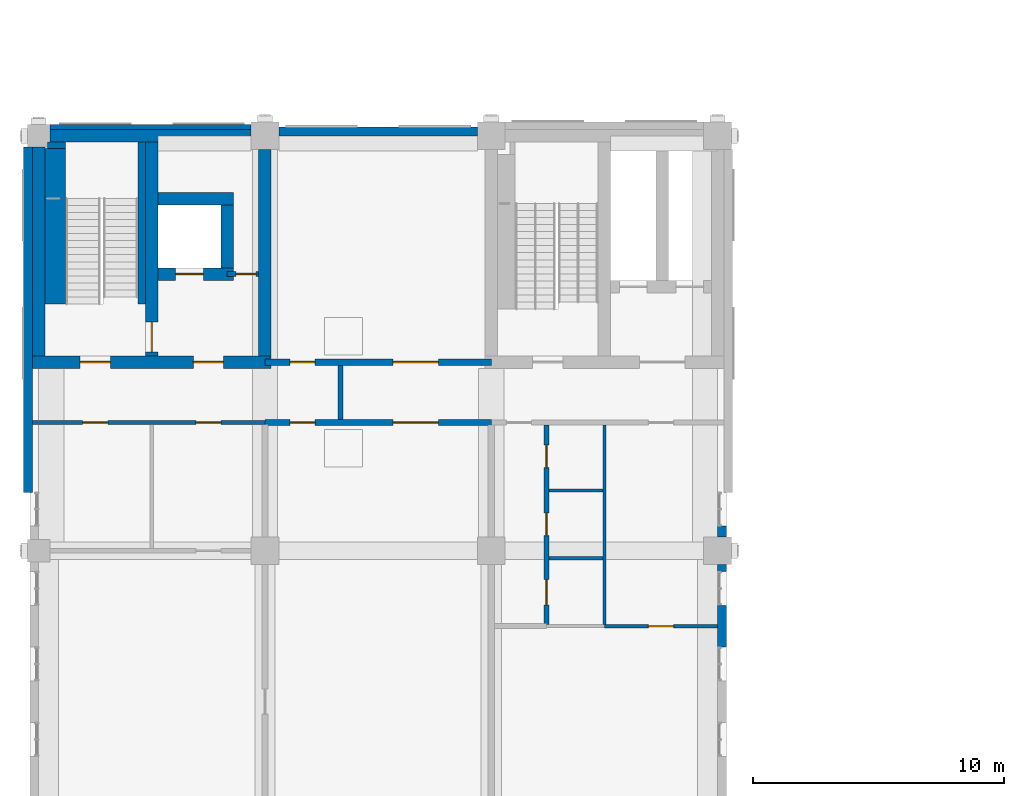
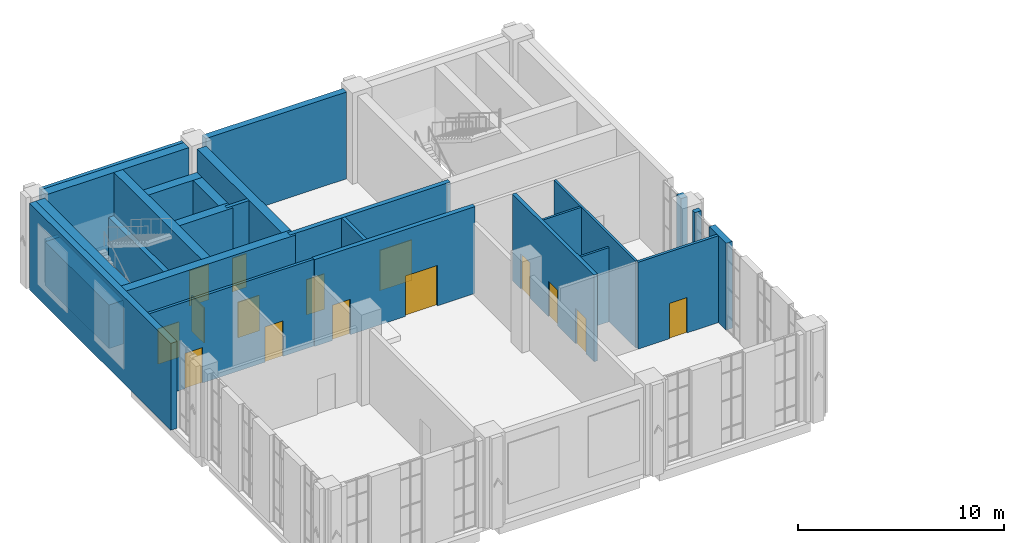
# One storey, part 13 of 22: 27 walls, 15 doors, 15 openings.
"""IFC4 building model written with IfcOpenShell, lengths in metres."""

from ifc_helpers import new_model, si_unit, direction, frame, frame_2d, origin, place, context, subcontext, project, spatial, rectangle, extrude, material, layer, layer_set, type_object, element, fill, save


model = new_model("IFC4")

# Units and contexts
model_context = context("Model", 3, precision=1e-05, world=origin(), true_north=direction((0.0, 1.0)))
body_context = subcontext(model_context, "Body", "Model", "MODEL_VIEW")
ifc_project = project(units=[si_unit("LENGTHUNIT", "METRE"), si_unit("AREAUNIT", "SQUARE_METRE"), si_unit("VOLUMEUNIT", "CUBIC_METRE"), si_unit("PLANEANGLEUNIT", "RADIAN"), si_unit("MASSUNIT", "GRAM", prefix="KILO")], contexts=[model_context])

# Site, building, storey
site_placement = place(None, origin())
site = spatial("IfcSite", under=ifc_project, at=site_placement, CompositionType="ELEMENT")
building_placement = place(site_placement, origin())
building = spatial("IfcBuilding", under=site, at=building_placement, Name="Aurelan Courthouse", CompositionType="ELEMENT")
storey_placement = place(building_placement, frame((0.0, 0.0, 39.0)))
storey = spatial("IfcBuildingStorey", under=building, at=storey_placement, Name="L07", CompositionType="ELEMENT", Elevation=39.0)

# Wall, openings, doors
ifc_material_1 = material(Name="Gypsum board on metal studs")
ifc_layer_1 = layer(ifc_material_1, 0.14990234375)
ifc_layer_set_1 = layer_set([ifc_layer_1], Name="Gypsum board on metal studs")
wall_type_1 = type_object("IfcWallType", Name="Corridor partition 150 EI 60", PredefinedType="PARTITIONING", material=ifc_layer_set_1)
wall_1_placement = place(storey_placement, frame((-0.25, 17.10009765625, 0.0), z_axis=(0.0, 0.0, 1.0), x_axis=(1.0, 0.0, 0.0)))
wall_1 = element("IfcWall", 1, at=wall_1_placement, inside=storey, type_object=wall_type_1, Name="Corridor partition L07-007", PredefinedType="PARTITIONING", context=body_context, shape_type="SweptSolid", body=[
    extrude(rectangle(XDim=9.25, YDim=0.14990234375, at=frame_2d((4.625, 0.0))), origin(), (0.0, 0.0, 1.0), 5.14990234375),
])
opening_1_placement = place(wall_1_placement, frame((3.0, 0.0, 0.0), z_axis=(0.0, 0.0, 1.0), x_axis=(-1.0, 0.0, 0.0)))
opening_1 = element("IfcOpeningElement", 2, at=opening_1_placement, cuts=wall_1, Name="Opening D-L07-045", PredefinedType="OPENING", context=body_context, shape_type="SweptSolid", body=[
    extrude(rectangle(XDim=1.0, YDim=2.10009765625, at=frame_2d((0.5, 1.050048828125))), frame((0.0, 0.0849609375, 0.0), z_axis=(0.0, -1.0, 0.0), x_axis=(1.0, 0.0, 0.0)), (0.0, 0.0, 1.0), 0.169921875),
])
opening_2_placement = place(wall_1_placement, frame((7.5, 0.0, 0.0), z_axis=(0.0, 0.0, 1.0), x_axis=(-1.0, 0.0, 0.0)))
opening_2 = element("IfcOpeningElement", 3, at=opening_2_placement, cuts=wall_1, Name="Opening D-L07-046", PredefinedType="OPENING", context=body_context, shape_type="SweptSolid", body=[
    extrude(rectangle(XDim=1.0, YDim=2.10009765625, at=frame_2d((0.5, 1.050048828125))), frame((0.0, 0.0849609375, 0.0), z_axis=(0.0, -1.0, 0.0), x_axis=(1.0, 0.0, 0.0)), (0.0, 0.0, 1.0), 0.169921875),
])
ifc_material_2 = material(Name="Steel", Category="steel")
door_type_1 = type_object("IfcDoorType", Name="Single door 1000 x 2100 FD60", OperationType="SINGLE_SWING_LEFT", PredefinedType="DOOR", material=ifc_material_2)
door_1_placement = place(opening_1_placement, origin())
door_1 = element("IfcDoor", 4, at=door_1_placement, inside=storey, type_object=door_type_1, Name="Single door D-L07-045", OperationType="SINGLE_SWING_LEFT", OverallHeight=2.10009765625, OverallWidth=1.0, PredefinedType="DOOR", context=body_context, shape_type="SweptSolid", body=[
    extrude(rectangle(XDim=1.0, YDim=2.10009765625, at=frame_2d((0.5, 1.050048828125))), frame((0.0, 0.02490234375, 0.0), z_axis=(0.0, -1.0, 0.0), x_axis=(1.0, 0.0, 0.0)), (0.0, 0.0, 1.0), 0.050048828125),
])
fill(opening_1, door_1)
door_2_placement = place(opening_2_placement, origin())
door_2 = element("IfcDoor", 5, at=door_2_placement, inside=storey, type_object=door_type_1, Name="Single door D-L07-046", OperationType="SINGLE_SWING_RIGHT", OverallHeight=2.10009765625, OverallWidth=1.0, PredefinedType="DOOR", context=body_context, shape_type="SweptSolid", body=[
    extrude(rectangle(XDim=1.0, YDim=2.10009765625, at=frame_2d((0.5, 1.050048828125))), frame((0.0, 0.02490234375, 0.0), z_axis=(0.0, -1.0, 0.0), x_axis=(1.0, 0.0, 0.0)), (0.0, 0.0, 1.0), 0.050048828125),
])
fill(opening_2, door_2)

ifc_material_3 = material(Name="Masonry block", Category="masonry")
ifc_layer_2 = layer(ifc_material_3, 0.25)
ifc_layer_set_2 = layer_set([ifc_layer_2], Name="Masonry block")
wall_type_2 = type_object("IfcWallType", Name="Courtroom wall 250 EI 60", PredefinedType="PARTITIONING", material=ifc_layer_set_2)
wall_2_placement = place(storey_placement, frame((9.0, 17.10009765625, 0.0), z_axis=(0.0, 0.0, 1.0), x_axis=(1.0, 0.0, 0.0)))
wall_2 = element("IfcWall", 6, at=wall_2_placement, inside=storey, type_object=wall_type_2, Name="Courtroom wall L07-008", PredefinedType="PARTITIONING", context=body_context, shape_type="SweptSolid", body=[
    extrude(rectangle(XDim=9.0, YDim=0.25, at=frame_2d((4.5, 0.0))), origin(), (0.0, 0.0, 1.0), 5.14990234375),
])
opening_3_placement = place(wall_2_placement, frame((6.900146484375, 0.0, 0.0), z_axis=(0.0, 0.0, 1.0), x_axis=(-1.0, 0.0, 0.0)))
opening_3 = element("IfcOpeningElement", 7, at=opening_3_placement, cuts=wall_2, Name="Opening D-L07-041", PredefinedType="OPENING", context=body_context, shape_type="SweptSolid", body=[
    extrude(rectangle(XDim=1.800048828125, YDim=2.39990234375, at=frame_2d((0.89990234375, 1.199951171875))), frame((0.0, 0.135009765625, 0.0), z_axis=(0.0, -1.0, 0.0), x_axis=(1.0, 0.0, 0.0)), (0.0, 0.0, 1.0), 0.27001953125),
])
opening_4_placement = place(wall_2_placement, frame((2.0, 0.0, 0.0), z_axis=(0.0, 0.0, 1.0), x_axis=(-1.0, 0.0, 0.0)))
opening_4 = element("IfcOpeningElement", 8, at=opening_4_placement, cuts=wall_2, Name="Opening D-L07-042", PredefinedType="OPENING", context=body_context, shape_type="SweptSolid", body=[
    extrude(rectangle(XDim=1.0, YDim=2.10009765625, at=frame_2d((0.5, 1.050048828125))), frame((0.0, 0.135009765625, 0.0), z_axis=(0.0, -1.0, 0.0), x_axis=(1.0, 0.0, 0.0)), (0.0, 0.0, 1.0), 0.27001953125),
])
door_type_2 = type_object("IfcDoorType", Name="Double door 1800 x 2400 FD30", OperationType="DOUBLE_DOOR_SINGLE_SWING", PredefinedType="DOOR", material=ifc_material_2)
door_3_placement = place(opening_3_placement, origin())
door_3 = element("IfcDoor", 9, at=door_3_placement, inside=storey, type_object=door_type_2, Name="Double door D-L07-041", OperationType="DOUBLE_DOOR_SINGLE_SWING", OverallHeight=2.39990234375, OverallWidth=1.800048828125, PredefinedType="DOOR", context=body_context, shape_type="SweptSolid", body=[
    extrude(rectangle(XDim=1.800048828125, YDim=2.39990234375, at=frame_2d((0.89990234375, 1.199951171875))), frame((0.0, 0.02490234375, 0.0), z_axis=(0.0, -1.0, 0.0), x_axis=(1.0, 0.0, 0.0)), (0.0, 0.0, 1.0), 0.050048828125),
])
fill(opening_3, door_3)
door_type_3 = type_object("IfcDoorType", Name="Single door 1000 x 2100 FD30", OperationType="SINGLE_SWING_LEFT", PredefinedType="DOOR", material=ifc_material_2)
door_4_placement = place(opening_4_placement, origin())
door_4 = element("IfcDoor", 10, at=door_4_placement, inside=storey, type_object=door_type_3, Name="Single door D-L07-042", OperationType="SINGLE_SWING_RIGHT", OverallHeight=2.10009765625, OverallWidth=1.0, PredefinedType="DOOR", context=body_context, shape_type="SweptSolid", body=[
    extrude(rectangle(XDim=1.0, YDim=2.10009765625, at=frame_2d((0.5, 1.050048828125))), frame((0.0, 0.02490234375, 0.0), z_axis=(0.0, -1.0, 0.0), x_axis=(1.0, 0.0, 0.0)), (0.0, 0.0, 1.0), 0.050048828125),
])
fill(opening_4, door_4)

wall_3_placement = place(storey_placement, frame((9.0, 19.5, 0.0), z_axis=(0.0, 0.0, 1.0), x_axis=(1.0, 0.0, 0.0)))
wall_3 = element("IfcWall", 11, at=wall_3_placement, inside=storey, type_object=wall_type_2, Name="Courtroom wall L07-010", PredefinedType="PARTITIONING", context=body_context, shape_type="SweptSolid", body=[
    extrude(rectangle(XDim=9.0, YDim=0.25, at=frame_2d((4.5, 0.0))), origin(), (0.0, 0.0, 1.0), 5.14990234375),
])
opening_5_placement = place(wall_3_placement, frame((5.10009765625, 0.0, 0.0)))
opening_5 = element("IfcOpeningElement", 12, at=opening_5_placement, cuts=wall_3, Name="Opening D-L07-043", PredefinedType="OPENING", context=body_context, shape_type="SweptSolid", body=[
    extrude(rectangle(XDim=1.800048828125, YDim=2.39990234375, at=frame_2d((0.89990234375, 1.199951171875))), frame((0.0, 0.135009765625, 0.0), z_axis=(0.0, -1.0, 0.0), x_axis=(1.0, 0.0, 0.0)), (0.0, 0.0, 1.0), 0.27001953125),
])
opening_6_placement = place(wall_3_placement, frame((1.0, 0.0, 0.0)))
opening_6 = element("IfcOpeningElement", 13, at=opening_6_placement, cuts=wall_3, Name="Opening D-L07-044", PredefinedType="OPENING", context=body_context, shape_type="SweptSolid", body=[
    extrude(rectangle(XDim=1.0, YDim=2.10009765625, at=frame_2d((0.5, 1.050048828125))), frame((0.0, 0.135009765625, 0.0), z_axis=(0.0, -1.0, 0.0), x_axis=(1.0, 0.0, 0.0)), (0.0, 0.0, 1.0), 0.27001953125),
])
door_5_placement = place(opening_5_placement, origin())
door_5 = element("IfcDoor", 14, at=door_5_placement, inside=storey, type_object=door_type_2, Name="Double door D-L07-043", OperationType="DOUBLE_DOOR_SINGLE_SWING", OverallHeight=2.39990234375, OverallWidth=1.800048828125, PredefinedType="DOOR", context=body_context, shape_type="SweptSolid", body=[
    extrude(rectangle(XDim=1.800048828125, YDim=2.39990234375, at=frame_2d((0.89990234375, 1.199951171875))), frame((0.0, 0.02490234375, 0.0), z_axis=(0.0, -1.0, 0.0), x_axis=(1.0, 0.0, 0.0)), (0.0, 0.0, 1.0), 0.050048828125),
])
fill(opening_5, door_5)
door_6_placement = place(opening_6_placement, origin())
door_6 = element("IfcDoor", 15, at=door_6_placement, inside=storey, type_object=door_type_3, Name="Single door D-L07-044", OperationType="SINGLE_SWING_LEFT", OverallHeight=2.10009765625, OverallWidth=1.0, PredefinedType="DOOR", context=body_context, shape_type="SweptSolid", body=[
    extrude(rectangle(XDim=1.0, YDim=2.10009765625, at=frame_2d((0.5, 1.050048828125))), frame((0.0, 0.02490234375, 0.0), z_axis=(0.0, -1.0, 0.0), x_axis=(1.0, 0.0, 0.0)), (0.0, 0.0, 1.0), 0.050048828125),
])
fill(opening_6, door_6)

# Walls
ifc_material_4 = material(Name="Limestone cladding", Category="masonry")
ifc_layer_3 = layer(ifc_material_4, 0.054931640625, Name="Facing")
ifc_material_5 = material(Name="Ventilated cavity")
ifc_layer_4 = layer(ifc_material_5, 0.02490234375, ventilated=True, Name="Ventilated cavity")
ifc_material_6 = material(Name="Mineral wool insulation")
ifc_layer_5 = layer(ifc_material_6, 0.030029296875, Name="Insulation")
ifc_material_7 = material(Name="Concrete C30", Category="concrete")
ifc_layer_6 = layer(ifc_material_7, 0.090087890625, Name="Structure")
ifc_layer_set_3 = layer_set([ifc_layer_3, ifc_layer_4, ifc_layer_5, ifc_layer_6], Name="Concrete C30")
wall_type_3 = type_object("IfcWallType", Name="Courts' Floors stone-faced wall 200", PredefinedType="SOLIDWALL", material=ifc_layer_set_3)
wall_4_placement = place(storey_placement, frame((0.449951171875, 28.85009765625, 0.0), z_axis=(0.0, 0.0, 1.0), x_axis=(1.0, 0.0, 0.0)))
element("IfcWall", 16, at=wall_4_placement, inside=storey, type_object=wall_type_3, Name="Facade wall FW-V5-L07-010", PredefinedType="SOLIDWALL", context=body_context, shape_type="SweptSolid", body=[
    extrude(rectangle(XDim=8.0, YDim=0.199951171875, at=frame_2d((4.0, 0.0))), origin(), (0.0, 0.0, 1.0), 5.14990234375),
])
ifc_layer_7 = layer(ifc_material_4, 0.10009765625, Name="Facing")
ifc_layer_8 = layer(ifc_material_5, 0.02490234375, ventilated=True, Name="Ventilated cavity")
ifc_layer_9 = layer(ifc_material_6, 0.050048828125, Name="Insulation")
ifc_layer_10 = layer(ifc_material_7, 0.175048828125, Name="Structure")
ifc_layer_set_4 = layer_set([ifc_layer_7, ifc_layer_8, ifc_layer_9, ifc_layer_10], Name="Concrete C30")
wall_type_4 = type_object("IfcWallType", Name="Courts' Floors stone-faced wall 350", PredefinedType="SOLIDWALL", material=ifc_layer_set_4)
wall_5_placement = place(storey_placement, frame((9.550048828125, 28.675048828125, 0.0), z_axis=(0.0, 0.0, 1.0), x_axis=(1.0, 0.0, 0.0)))
element("IfcWall", 17, at=wall_5_placement, inside=storey, type_object=wall_type_4, Name="Facade wall FW-V5-L07-011", PredefinedType="SOLIDWALL", context=body_context, shape_type="SweptSolid", body=[
    extrude(rectangle(XDim=7.89990234375, YDim=0.35009765625, at=frame_2d((3.949951171875, 0.0))), origin(), (0.0, 0.0, 1.0), 5.14990234375),
])
wall_6_placement = place(storey_placement, frame((27.175048828125, 8.175048828125, 0.0), z_axis=(0.0, 0.0, 1.0), x_axis=(0.0, 1.0, 0.0)))
element("IfcWall", 18, at=wall_6_placement, inside=storey, type_object=wall_type_4, Name="Facade wall FW-V5-L07-016", PredefinedType="SOLIDWALL", context=body_context, shape_type="SweptSolid", body=[
    extrude(rectangle(XDim=1.64990234375, YDim=0.35009765625, at=frame_2d((0.824951171875, 0.0))), origin(), (0.0, 0.0, 1.0), 5.14990234375),
])
wall_7_placement = place(storey_placement, frame((27.175048828125, 11.175048828125, 0.0), z_axis=(0.0, 0.0, 1.0), x_axis=(0.0, 1.0, 0.0)))
element("IfcWall", 19, at=wall_7_placement, inside=storey, type_object=wall_type_4, Name="Facade wall FW-V5-L07-017", PredefinedType="SOLIDWALL", context=body_context, shape_type="SweptSolid", body=[
    extrude(rectangle(XDim=0.27490234375, YDim=0.35009765625, at=frame_2d((0.137451171875, 0.0))), origin(), (0.0, 0.0, 1.0), 5.14990234375),
])
wall_8_placement = place(storey_placement, frame((27.175048828125, 12.550048828125, 0.0), z_axis=(0.0, 0.0, 1.0), x_axis=(0.0, 1.0, 0.0)))
element("IfcWall", 20, at=wall_8_placement, inside=storey, type_object=wall_type_4, Name="Facade wall FW-V5-L07-018", PredefinedType="SOLIDWALL", context=body_context, shape_type="SweptSolid", body=[
    extrude(rectangle(XDim=0.425048828125, YDim=0.35009765625, at=frame_2d((0.21240234375, 0.0))), origin(), (0.0, 0.0, 1.0), 5.14990234375),
])
wall_9_placement = place(storey_placement, frame((-0.425048828125, 14.324951171875, 0.0), z_axis=(0.0, 0.0, 1.0), x_axis=(0.0, 1.0, 0.0)))
element("IfcWall", 21, at=wall_9_placement, inside=storey, type_object=wall_type_4, Name="Facade wall FW-V5-L07-026", PredefinedType="SOLIDWALL", context=body_context, shape_type="SweptSolid", body=[
    extrude(rectangle(XDim=13.72509765625, YDim=0.35009765625, at=frame_2d((6.862548828125, 0.0))), origin(), (0.0, 0.0, 1.0), 5.14990234375),
])
ifc_layer_11 = layer(ifc_material_3, 0.199951171875)
ifc_layer_set_5 = layer_set([ifc_layer_11], Name="Masonry block")
wall_type_5 = type_object("IfcWallType", Name="Lift lobby wall 200 EI 60", PredefinedType="PARTITIONING", material=ifc_layer_set_5)
wall_10_placement = place(storey_placement, frame((12.0, 17.22509765625, 0.0), z_axis=(0.0, 0.0, 1.0), x_axis=(0.0, 1.0, 0.0)))
element("IfcWall", 22, at=wall_10_placement, inside=storey, type_object=wall_type_5, Name="Lift lobby wall L07-031", PredefinedType="PARTITIONING", context=body_context, shape_type="SweptSolid", body=[
    extrude(rectangle(XDim=2.14990234375, YDim=0.199951171875, at=frame_2d((1.074951171875, 0.0))), origin(), (0.0, 0.0, 1.0), 5.14990234375),
])

# Wall, openings, doors
wall_11_placement = place(storey_placement, frame((20.199951171875, 9.0625, 0.0), z_axis=(0.0, 0.0, 1.0), x_axis=(0.0, 1.0, 0.0)))
wall_11 = element("IfcWall", 23, at=wall_11_placement, inside=storey, type_object=wall_type_5, Name="Lift lobby wall L07-034", PredefinedType="PARTITIONING", context=body_context, shape_type="SweptSolid", body=[
    extrude(rectangle(XDim=7.9375, YDim=0.199951171875, at=frame_2d((3.96875, 0.0))), origin(), (0.0, 0.0, 1.0), 5.14990234375),
])
opening_7_placement = place(wall_11_placement, frame((7.137451171875, 0.0, 0.0), z_axis=(0.0, 0.0, 1.0), x_axis=(-1.0, 0.0, 0.0)))
opening_7 = element("IfcOpeningElement", 24, at=opening_7_placement, cuts=wall_11, Name="Opening D-L07-052", PredefinedType="OPENING", context=body_context, shape_type="SweptSolid", body=[
    extrude(rectangle(XDim=0.89990234375, YDim=2.10009765625, at=frame_2d((0.449951171875, 1.050048828125))), frame((0.0, 0.10986328125, 0.0), z_axis=(0.0, -1.0, 0.0), x_axis=(1.0, 0.0, 0.0)), (0.0, 0.0, 1.0), 0.219970703125),
])
opening_8_placement = place(wall_11_placement, frame((4.4375, 0.0, 0.0), z_axis=(0.0, 0.0, 1.0), x_axis=(-1.0, 0.0, 0.0)))
opening_8 = element("IfcOpeningElement", 25, at=opening_8_placement, cuts=wall_11, Name="Opening D-L07-053", PredefinedType="OPENING", context=body_context, shape_type="SweptSolid", body=[
    extrude(rectangle(XDim=0.89990234375, YDim=2.10009765625, at=frame_2d((0.449951171875, 1.050048828125))), frame((0.0, 0.10986328125, 0.0), z_axis=(0.0, -1.0, 0.0), x_axis=(1.0, 0.0, 0.0)), (0.0, 0.0, 1.0), 0.219970703125),
])
opening_9_placement = place(wall_11_placement, frame((1.78759765625, 0.0, 0.0), z_axis=(0.0, 0.0, 1.0), x_axis=(-1.0, 0.0, 0.0)))
opening_9 = element("IfcOpeningElement", 26, at=opening_9_placement, cuts=wall_11, Name="Opening D-L07-054", PredefinedType="OPENING", context=body_context, shape_type="SweptSolid", body=[
    extrude(rectangle(XDim=1.0, YDim=2.10009765625, at=frame_2d((0.5, 1.050048828125))), frame((0.0, 0.10986328125, 0.0), z_axis=(0.0, -1.0, 0.0), x_axis=(1.0, 0.0, 0.0)), (0.0, 0.0, 1.0), 0.219970703125),
])
door_7_placement = place(opening_9_placement, origin())
door_7 = element("IfcDoor", 27, at=door_7_placement, inside=storey, type_object=door_type_1, Name="Single door D-L07-054", OperationType="SINGLE_SWING_RIGHT", OverallHeight=2.10009765625, OverallWidth=1.0, PredefinedType="DOOR", context=body_context, shape_type="SweptSolid", body=[
    extrude(rectangle(XDim=1.0, YDim=2.10009765625, at=frame_2d((0.5, 1.050048828125))), frame((0.0, 0.02490234375, 0.0), z_axis=(0.0, -1.0, 0.0), x_axis=(1.0, 0.0, 0.0)), (0.0, 0.0, 1.0), 0.050048828125),
])
fill(opening_9, door_7)
door_type_4 = type_object("IfcDoorType", Name="Single door 900 x 2100 FD60", OperationType="SINGLE_SWING_LEFT", PredefinedType="DOOR", material=ifc_material_2)
door_8_placement = place(opening_7_placement, origin())
door_8 = element("IfcDoor", 28, at=door_8_placement, inside=storey, type_object=door_type_4, Name="Single door D-L07-052", OperationType="SINGLE_SWING_RIGHT", OverallHeight=2.10009765625, OverallWidth=0.89990234375, PredefinedType="DOOR", context=body_context, shape_type="SweptSolid", body=[
    extrude(rectangle(XDim=0.89990234375, YDim=2.10009765625, at=frame_2d((0.449951171875, 1.050048828125))), frame((0.0, 0.02490234375, 0.0), z_axis=(0.0, -1.0, 0.0), x_axis=(1.0, 0.0, 0.0)), (0.0, 0.0, 1.0), 0.050048828125),
])
fill(opening_7, door_8)
door_9_placement = place(opening_8_placement, origin())
door_9 = element("IfcDoor", 29, at=door_9_placement, inside=storey, type_object=door_type_4, Name="Single door D-L07-053", OperationType="SINGLE_SWING_LEFT", OverallHeight=2.10009765625, OverallWidth=0.89990234375, PredefinedType="DOOR", context=body_context, shape_type="SweptSolid", body=[
    extrude(rectangle(XDim=0.89990234375, YDim=2.10009765625, at=frame_2d((0.449951171875, 1.050048828125))), frame((0.0, 0.02490234375, 0.0), z_axis=(0.0, -1.0, 0.0), x_axis=(1.0, 0.0, 0.0)), (0.0, 0.0, 1.0), 0.050048828125),
])
fill(opening_8, door_9)

# Wall, opening, door
ifc_layer_12 = layer(ifc_material_1, 0.14990234375)
ifc_layer_set_6 = layer_set([ifc_layer_12], Name="Gypsum board on metal studs")
wall_type_6 = type_object("IfcWallType", Name="Partition 150 NOT RATED", PredefinedType="PARTITIONING", material=ifc_layer_set_6)
wall_12_placement = place(storey_placement, frame((22.5, 9.0, 0.0), z_axis=(0.0, 0.0, 1.0), x_axis=(1.0, 0.0, 0.0)))
wall_12 = element("IfcWall", 30, at=wall_12_placement, inside=storey, type_object=wall_type_6, Name="Partition L07-003", PredefinedType="PARTITIONING", context=body_context, shape_type="SweptSolid", body=[
    extrude(rectangle(XDim=4.5, YDim=0.14990234375, at=frame_2d((2.25, 0.0))), origin(), (0.0, 0.0, 1.0), 5.14990234375),
])
opening_10_placement = place(wall_12_placement, frame((2.75, 0.0, 0.0), z_axis=(0.0, 0.0, 1.0), x_axis=(-1.0, 0.0, 0.0)))
opening_10 = element("IfcOpeningElement", 31, at=opening_10_placement, cuts=wall_12, Name="Opening D-L07-051", PredefinedType="OPENING", context=body_context, shape_type="SweptSolid", body=[
    extrude(rectangle(XDim=1.0, YDim=2.10009765625, at=frame_2d((0.5, 1.050048828125))), frame((0.0, 0.0849609375, 0.0), z_axis=(0.0, -1.0, 0.0), x_axis=(1.0, 0.0, 0.0)), (0.0, 0.0, 1.0), 0.169921875),
])
ifc_material_8 = material(Name="Timber", Category="wood")
door_type_5 = type_object("IfcDoorType", Name="Single door 1000 x 2100 NOT RATED", OperationType="SINGLE_SWING_LEFT", PredefinedType="DOOR", material=ifc_material_8)
door_10_placement = place(opening_10_placement, origin())
door_10 = element("IfcDoor", 32, at=door_10_placement, inside=storey, type_object=door_type_5, Name="Single door D-L07-051", OperationType="SINGLE_SWING_LEFT", OverallHeight=2.10009765625, OverallWidth=1.0, PredefinedType="DOOR", context=body_context, shape_type="SweptSolid", body=[
    extrude(rectangle(XDim=1.0, YDim=2.10009765625, at=frame_2d((0.5, 1.050048828125))), frame((0.0, 0.02490234375, 0.0), z_axis=(0.0, -1.0, 0.0), x_axis=(1.0, 0.0, 0.0)), (0.0, 0.0, 1.0), 0.050048828125),
])
fill(opening_10, door_10)

# Wall, openings, doors
ifc_material_9 = material(Name="Concrete C50", Category="concrete")
ifc_layer_13 = layer(ifc_material_9, 0.5)
ifc_layer_set_7 = layer_set([ifc_layer_13], Name="Concrete C50")
wall_type_7 = type_object("IfcWallType", Name="RC shear wall 500", PredefinedType="SHEAR", material=ifc_layer_set_7)
wall_13_placement = place(storey_placement, frame((-0.25, 19.5, 0.0), z_axis=(0.0, 0.0, 1.0), x_axis=(1.0, 0.0, 0.0)))
wall_13 = element("IfcWall", 33, at=wall_13_placement, inside=storey, type_object=wall_type_7, Name="Core wall SW-L07-001", PredefinedType="SHEAR", context=body_context, shape_type="SweptSolid", body=[
    extrude(rectangle(XDim=9.5, YDim=0.5, at=frame_2d((4.75, 0.0))), origin(), (0.0, 0.0, 1.0), 5.14990234375),
])
opening_11_placement = place(wall_13_placement, frame((1.89990234375, 0.0, 0.0)))
opening_11 = element("IfcOpeningElement", 34, at=opening_11_placement, cuts=wall_13, Name="Opening D-L07-032", PredefinedType="OPENING", context=body_context, shape_type="SweptSolid", body=[
    extrude(rectangle(XDim=1.199951171875, YDim=2.10009765625, at=frame_2d((0.60009765625, 1.050048828125))), frame((0.0, 0.260009765625, 0.0), z_axis=(0.0, -1.0, 0.0), x_axis=(1.0, 0.0, 0.0)), (0.0, 0.0, 1.0), 0.52001953125),
])
opening_12_placement = place(wall_13_placement, frame((6.39990234375, 0.0, 0.0)))
opening_12 = element("IfcOpeningElement", 35, at=opening_12_placement, cuts=wall_13, Name="Opening D-L07-034", PredefinedType="OPENING", context=body_context, shape_type="SweptSolid", body=[
    extrude(rectangle(XDim=1.199951171875, YDim=2.10009765625, at=frame_2d((0.60009765625, 1.050048828125))), frame((0.0, 0.260009765625, 0.0), z_axis=(0.0, -1.0, 0.0), x_axis=(1.0, 0.0, 0.0)), (0.0, 0.0, 1.0), 0.52001953125),
])
door_type_6 = type_object("IfcDoorType", Name="Single door 1200 x 2100 FD90", OperationType="SINGLE_SWING_LEFT", PredefinedType="DOOR", material=ifc_material_2)
door_11_placement = place(opening_11_placement, origin())
door_11 = element("IfcDoor", 36, at=door_11_placement, inside=storey, type_object=door_type_6, Name="Single door D-L07-032", OperationType="SINGLE_SWING_LEFT", OverallHeight=2.10009765625, OverallWidth=1.199951171875, PredefinedType="DOOR", context=body_context, shape_type="SweptSolid", body=[
    extrude(rectangle(XDim=1.199951171875, YDim=2.10009765625, at=frame_2d((0.60009765625, 1.050048828125))), frame((0.0, 0.02490234375, 0.0), z_axis=(0.0, -1.0, 0.0), x_axis=(1.0, 0.0, 0.0)), (0.0, 0.0, 1.0), 0.050048828125),
])
fill(opening_11, door_11)
door_12_placement = place(opening_12_placement, origin())
door_12 = element("IfcDoor", 37, at=door_12_placement, inside=storey, type_object=door_type_6, Name="Single door D-L07-034", OperationType="SINGLE_SWING_LEFT", OverallHeight=2.10009765625, OverallWidth=1.199951171875, PredefinedType="DOOR", context=body_context, shape_type="SweptSolid", body=[
    extrude(rectangle(XDim=1.199951171875, YDim=2.10009765625, at=frame_2d((0.60009765625, 1.050048828125))), frame((0.0, 0.02490234375, 0.0), z_axis=(0.0, -1.0, 0.0), x_axis=(1.0, 0.0, 0.0)), (0.0, 0.0, 1.0), 0.050048828125),
])
fill(opening_12, door_12)

# Wall
wall_14_placement = place(storey_placement, frame((0.0, 19.75, 0.0), z_axis=(0.0, 0.0, 1.0), x_axis=(0.0, 1.0, 0.0)))
element("IfcWall", 38, at=wall_14_placement, inside=storey, type_object=wall_type_7, Name="Core wall SW-L07-003", PredefinedType="SHEAR", context=body_context, shape_type="SweptSolid", body=[
    extrude(rectangle(XDim=8.300048828125, YDim=0.5, at=frame_2d((4.14990234375, 0.0))), origin(), (0.0, 0.0, 1.0), 5.14990234375),
])

# Wall, opening, door
wall_15_placement = place(storey_placement, frame((4.5, 19.75, 0.0), z_axis=(0.0, 0.0, 1.0), x_axis=(0.0, 1.0, 0.0)))
wall_15 = element("IfcWall", 39, at=wall_15_placement, inside=storey, type_object=wall_type_7, Name="Core wall SW-L07-004", PredefinedType="SHEAR", context=body_context, shape_type="SweptSolid", body=[
    extrude(rectangle(XDim=8.5, YDim=0.5, at=frame_2d((4.25, 0.0))), origin(), (0.0, 0.0, 1.0), 5.14990234375),
])
opening_13_placement = place(wall_15_placement, frame((0.14990234375, 0.0, 0.0)))
opening_13 = element("IfcOpeningElement", 40, at=opening_13_placement, cuts=wall_15, Name="Opening D-L07-033", PredefinedType="OPENING", context=body_context, shape_type="SweptSolid", body=[
    extrude(rectangle(XDim=1.199951171875, YDim=2.10009765625, at=frame_2d((0.60009765625, 1.050048828125))), frame((0.0, 0.260009765625, 0.0), z_axis=(0.0, -1.0, 0.0), x_axis=(1.0, 0.0, 0.0)), (0.0, 0.0, 1.0), 0.52001953125),
])
door_13_placement = place(opening_13_placement, origin())
door_13 = element("IfcDoor", 41, at=door_13_placement, inside=storey, type_object=door_type_6, Name="Single door D-L07-033", OperationType="SINGLE_SWING_LEFT", OverallHeight=2.10009765625, OverallWidth=1.199951171875, PredefinedType="DOOR", context=body_context, shape_type="SweptSolid", body=[
    extrude(rectangle(XDim=1.199951171875, YDim=2.10009765625, at=frame_2d((0.60009765625, 1.050048828125))), frame((0.0, 0.02490234375, 0.0), z_axis=(0.0, -1.0, 0.0), x_axis=(1.0, 0.0, 0.0)), (0.0, 0.0, 1.0), 0.050048828125),
])
fill(opening_13, door_13)

# Wall
wall_16_placement = place(storey_placement, frame((9.0, 19.75, 0.0), z_axis=(0.0, 0.0, 1.0), x_axis=(0.0, 1.0, 0.0)))
element("IfcWall", 42, at=wall_16_placement, inside=storey, type_object=wall_type_7, Name="Core wall SW-L07-005", PredefinedType="SHEAR", context=body_context, shape_type="SweptSolid", body=[
    extrude(rectangle(XDim=8.199951171875, YDim=0.5, at=frame_2d((4.10009765625, 0.0))), origin(), (0.0, 0.0, 1.0), 5.14990234375),
])

# Wall, opening, door
wall_17_placement = place(storey_placement, frame((4.75, 23.0, 0.0), z_axis=(0.0, 0.0, 1.0), x_axis=(1.0, 0.0, 0.0)))
wall_17 = element("IfcWall", 43, at=wall_17_placement, inside=storey, type_object=wall_type_7, Name="Core wall SW-L07-011", PredefinedType="SHEAR", context=body_context, shape_type="SweptSolid", body=[
    extrude(rectangle(XDim=3.0, YDim=0.5, at=frame_2d((1.5, 0.0))), origin(), (0.0, 0.0, 1.0), 5.14990234375),
])
opening_14_placement = place(wall_17_placement, frame((0.699951171875, 0.0, 0.0)))
opening_14 = element("IfcOpeningElement", 44, at=opening_14_placement, cuts=wall_17, Name="Opening LD-V5-F1-L07", PredefinedType="OPENING", context=body_context, shape_type="SweptSolid", body=[
    extrude(rectangle(XDim=1.10009765625, YDim=2.10009765625, at=frame_2d((0.550048828125, 1.050048828125))), frame((0.0, 0.260009765625, 0.0), z_axis=(0.0, -1.0, 0.0), x_axis=(1.0, 0.0, 0.0)), (0.0, 0.0, 1.0), 0.52001953125),
])
door_type_7 = type_object("IfcDoorType", Name="Lift landing door 1100 x 2100 FD90", OperationType="SLIDING_TO_LEFT", PredefinedType="DOOR", material=ifc_material_2)
door_14_placement = place(opening_14_placement, origin())
door_14 = element("IfcDoor", 45, at=door_14_placement, inside=storey, type_object=door_type_7, Name="Lift landing door LD-V5-F1-L07", OperationType="SLIDING_TO_LEFT", OverallHeight=2.10009765625, OverallWidth=1.10009765625, PredefinedType="DOOR", context=body_context, shape_type="SweptSolid", body=[
    extrude(rectangle(XDim=1.10009765625, YDim=2.10009765625, at=frame_2d((0.550048828125, 1.050048828125))), frame((0.0, 0.02490234375, 0.0), z_axis=(0.0, -1.0, 0.0), x_axis=(1.0, 0.0, 0.0)), (0.0, 0.0, 1.0), 0.050048828125),
])
fill(opening_14, door_14)

# Walls
wall_18_placement = place(storey_placement, frame((7.5, 23.25, 0.0), z_axis=(0.0, 0.0, 1.0), x_axis=(0.0, 1.0, 0.0)))
element("IfcWall", 46, at=wall_18_placement, inside=storey, type_object=wall_type_7, Name="Core wall SW-L07-012", PredefinedType="SHEAR", context=body_context, shape_type="SweptSolid", body=[
    extrude(rectangle(XDim=2.5, YDim=0.5, at=frame_2d((1.25, 0.0))), origin(), (0.0, 0.0, 1.0), 5.14990234375),
])
wall_19_placement = place(storey_placement, frame((4.75, 26.0, 0.0), z_axis=(0.0, 0.0, 1.0), x_axis=(1.0, 0.0, 0.0)))
element("IfcWall", 47, at=wall_19_placement, inside=storey, type_object=wall_type_7, Name="Core wall SW-L07-013", PredefinedType="SHEAR", context=body_context, shape_type="SweptSolid", body=[
    extrude(rectangle(XDim=3.0, YDim=0.5, at=frame_2d((1.5, 0.0))), origin(), (0.0, 0.0, 1.0), 5.14990234375),
])
wall_20_placement = place(storey_placement, frame((0.449951171875, 28.5, 0.0), z_axis=(0.0, 0.0, 1.0), x_axis=(1.0, 0.0, 0.0)))
element("IfcWall", 48, at=wall_20_placement, inside=storey, type_object=wall_type_7, Name="Core wall SW-L07-014", PredefinedType="SHEAR", context=body_context, shape_type="SweptSolid", body=[
    extrude(rectangle(XDim=8.0, YDim=0.5, at=frame_2d((4.0, 0.0))), origin(), (0.0, 0.0, 1.0), 5.14990234375),
])

# Wall, opening, door
ifc_layer_14 = layer(ifc_material_7, 0.199951171875)
ifc_layer_set_8 = layer_set([ifc_layer_14], Name="Concrete C30")
wall_type_8 = type_object("IfcWallType", Name="Shaft wall 200 EI 120 load-bearing", PredefinedType="SHEAR", material=ifc_layer_set_8)
wall_21_placement = place(storey_placement, frame((7.5, 23.0, 0.0), z_axis=(0.0, 0.0, 1.0), x_axis=(1.0, 0.0, 0.0)))
wall_21 = element("IfcWall", 49, at=wall_21_placement, inside=storey, type_object=wall_type_8, Name="Shaft wall L07-011", PredefinedType="SHEAR", context=body_context, shape_type="SweptSolid", body=[
    extrude(rectangle(XDim=1.25, YDim=0.199951171875, at=frame_2d((0.625, 0.0))), origin(), (0.0, 0.0, 1.0), 5.14990234375),
])
opening_15_placement = place(wall_21_placement, frame((1.150146484375, 0.0, 0.0), z_axis=(0.0, 0.0, 1.0), x_axis=(-1.0, 0.0, 0.0)))
opening_15 = element("IfcOpeningElement", 50, at=opening_15_placement, cuts=wall_21, Name="Opening D-L07-036", PredefinedType="OPENING", context=body_context, shape_type="SweptSolid", body=[
    extrude(rectangle(XDim=0.800048828125, YDim=2.0, at=frame_2d((0.39990234375, 1.0))), frame((0.0, 0.10986328125, 0.0), z_axis=(0.0, -1.0, 0.0), x_axis=(1.0, 0.0, 0.0)), (0.0, 0.0, 1.0), 0.219970703125),
])
door_type_8 = type_object("IfcDoorType", Name="Single door 800 x 2000 FD90", OperationType="SINGLE_SWING_LEFT", PredefinedType="DOOR", material=ifc_material_2)
door_15_placement = place(opening_15_placement, origin())
door_15 = element("IfcDoor", 51, at=door_15_placement, inside=storey, type_object=door_type_8, Name="Single door D-L07-036", OperationType="SINGLE_SWING_LEFT", OverallHeight=2.0, OverallWidth=0.800048828125, PredefinedType="DOOR", context=body_context, shape_type="SweptSolid", body=[
    extrude(rectangle(XDim=0.800048828125, YDim=2.0, at=frame_2d((0.39990234375, 1.0))), frame((0.0, 0.02490234375, 0.0), z_axis=(0.0, -1.0, 0.0), x_axis=(1.0, 0.0, 0.0)), (0.0, 0.0, 1.0), 0.050048828125),
])
fill(opening_15, door_15)

# Walls
ifc_layer_15 = layer(ifc_material_7, 0.2900390625)
ifc_layer_set_9 = layer_set([ifc_layer_15], Name="Concrete C30")
wall_type_9 = type_object("IfcWallType", Name="Stair well wall 290 EI 120 load-bearing", PredefinedType="SHEAR", material=ifc_layer_set_9)
wall_22_placement = place(storey_placement, frame((4.10498046875, 21.81005859375, 0.0), z_axis=(0.0, 0.0, 1.0), x_axis=(0.0, 1.0, 0.0)))
element("IfcWall", 52, at=wall_22_placement, inside=storey, type_object=wall_type_9, Name="Stair well wall ST-5B-L07 B", PredefinedType="SHEAR", context=body_context, shape_type="SweptSolid", body=[
    extrude(rectangle(XDim=6.43994140625, YDim=0.2900390625, at=frame_2d((3.219970703125, 0.0))), origin(), (0.0, 0.0, 1.0), 2.587158203125),
])
ifc_layer_16 = layer(ifc_material_7, 0.7099609375)
ifc_layer_set_10 = layer_set([ifc_layer_16], Name="Concrete C30")
wall_type_10 = type_object("IfcWallType", Name="Stair well wall 710 EI 120 load-bearing", PredefinedType="SHEAR", material=ifc_layer_set_10)
wall_23_placement = place(storey_placement, frame((0.705078125, 28.0, 0.0), z_axis=(0.0, 0.0, 1.0), x_axis=(0.0, 1.0, 0.0)))
element("IfcWall", 53, at=wall_23_placement, inside=storey, type_object=wall_type_10, Name="Stair well wall ST-5B-L07 A2", PredefinedType="SHEAR", context=body_context, shape_type="SweptSolid", body=[
    extrude(rectangle(XDim=0.25, YDim=0.7099609375, at=frame_2d((0.125, 0.0))), origin(), (0.0, 0.0, 1.0), 2.587158203125),
])
ifc_layer_17 = layer(ifc_material_7, 0.81005859375)
ifc_layer_set_11 = layer_set([ifc_layer_17], Name="Concrete C30")
wall_type_11 = type_object("IfcWallType", Name="Stair well wall 810 EI 120 load-bearing", PredefinedType="SHEAR", material=ifc_layer_set_11)
wall_24_placement = place(storey_placement, frame((0.655029296875, 21.81005859375, 0.0), z_axis=(0.0, 0.0, 1.0), x_axis=(0.0, 1.0, 0.0)))
element("IfcWall", 54, at=wall_24_placement, inside=storey, type_object=wall_type_11, Name="Stair well wall ST-5B-L07 A", PredefinedType="SHEAR", context=body_context, shape_type="SweptSolid", body=[
    extrude(rectangle(XDim=6.18994140625, YDim=0.81005859375, at=frame_2d((3.094970703125, 0.0))), origin(), (0.0, 0.0, 1.0), 2.587158203125),
])
ifc_material_10 = material(Name="Moisture-resistant board on metal studs")
ifc_layer_18 = layer(ifc_material_10, 0.125)
ifc_layer_set_12 = layer_set([ifc_layer_18], Name="Moisture-resistant board on metal studs")
wall_type_12 = type_object("IfcWallType", Name="Wet-area partition 125 NOT RATED", PredefinedType="PARTITIONING", material=ifc_layer_set_12)
wall_25_placement = place(storey_placement, frame((20.300048828125, 11.699951171875, 0.0), z_axis=(0.0, 0.0, 1.0), x_axis=(1.0, 0.0, 0.0)))
element("IfcWall", 55, at=wall_25_placement, inside=storey, type_object=wall_type_12, Name="Wet-area partition L07-004", PredefinedType="PARTITIONING", context=body_context, shape_type="SweptSolid", body=[
    extrude(rectangle(XDim=2.137451171875, YDim=0.125, at=frame_2d((1.06884765625, 0.0))), origin(), (0.0, 0.0, 1.0), 4.39990234375),
])
wall_26_placement = place(storey_placement, frame((20.300048828125, 14.39990234375, 0.0), z_axis=(0.0, 0.0, 1.0), x_axis=(1.0, 0.0, 0.0)))
element("IfcWall", 56, at=wall_26_placement, inside=storey, type_object=wall_type_12, Name="Wet-area partition L07-006", PredefinedType="PARTITIONING", context=body_context, shape_type="SweptSolid", body=[
    extrude(rectangle(XDim=2.137451171875, YDim=0.125, at=frame_2d((1.06884765625, 0.0))), origin(), (0.0, 0.0, 1.0), 5.14990234375),
])
wall_27_placement = place(storey_placement, frame((22.5, 9.0625, 0.0), z_axis=(0.0, 0.0, 1.0), x_axis=(0.0, 1.0, 0.0)))
element("IfcWall", 57, at=wall_27_placement, inside=storey, type_object=wall_type_12, Name="Wet-area partition L07-035", PredefinedType="PARTITIONING", context=body_context, shape_type="SweptSolid", body=[
    extrude(rectangle(XDim=7.9375, YDim=0.125, at=frame_2d((3.96875, 0.0))), origin(), (0.0, 0.0, 1.0), 5.14990234375),
])

save(model, "model.ifc")
